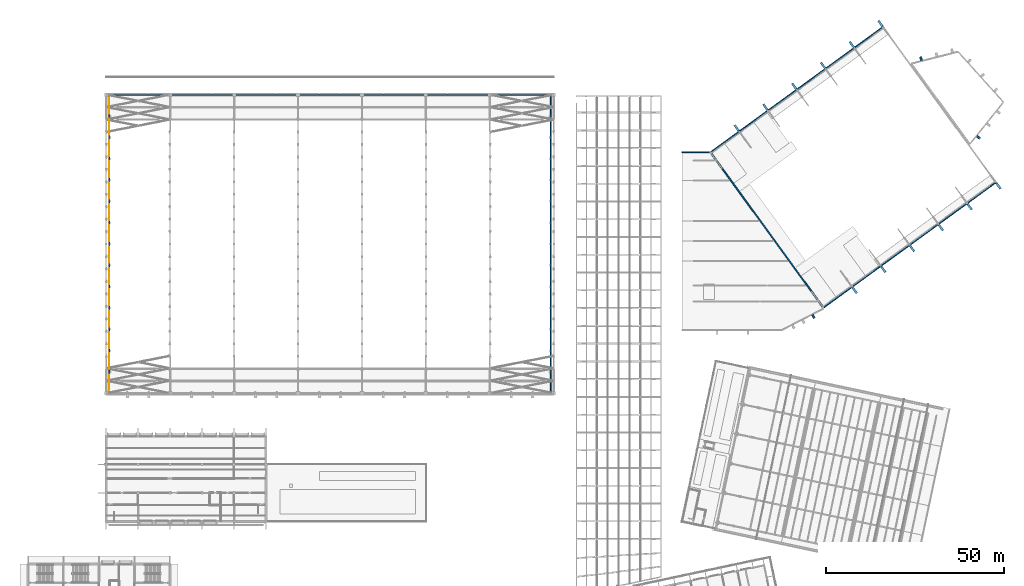
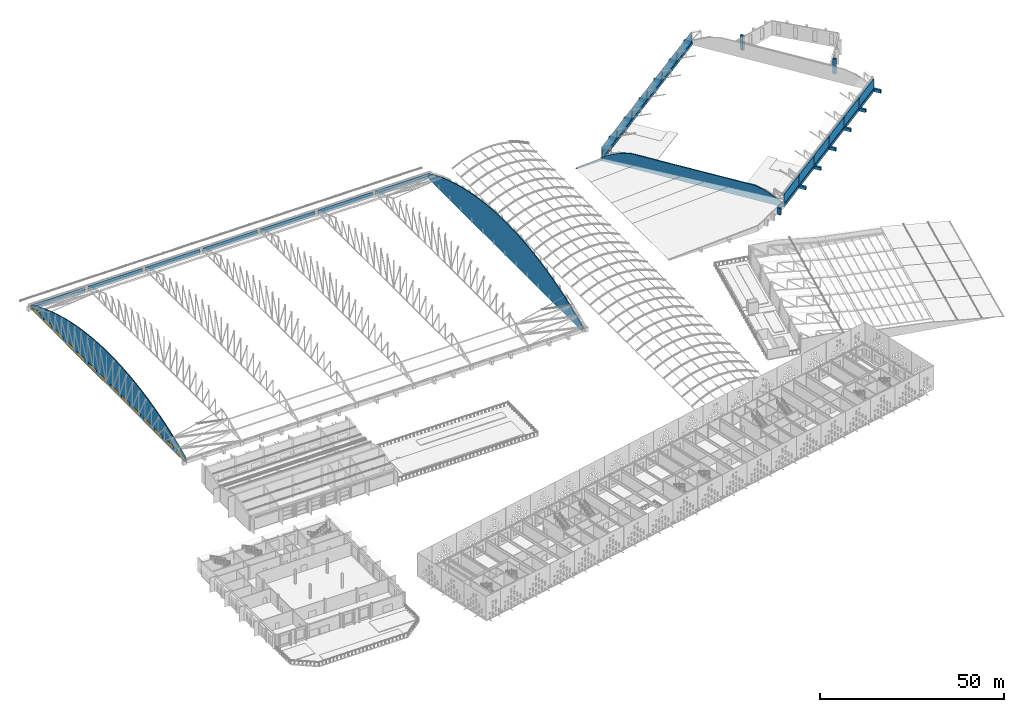
# One storey, part 129 of 196: 40 walls, 14 windows, 14 openings.
"""IFC4 building model written with IfcOpenShell, lengths in metres."""

from ifc_helpers import new_model, si_unit, direction, frame, frame_2d, origin, place, context, subcontext, project, spatial, polyline, rectangle, outline, extrude, material, layer, layer_set, type_object, element, fill, save


model = new_model("IFC4")

# Units and contexts
model_context = context("Model", 3, precision=1e-05, world=origin(), true_north=direction((0.0, 1.0)))
body_context = subcontext(model_context, "Body", "Model", "MODEL_VIEW")
ifc_project = project(units=[si_unit("LENGTHUNIT", "METRE"), si_unit("AREAUNIT", "SQUARE_METRE"), si_unit("VOLUMEUNIT", "CUBIC_METRE"), si_unit("PLANEANGLEUNIT", "RADIAN"), si_unit("MASSUNIT", "GRAM", prefix="KILO")], contexts=[model_context])

# Site, building, storey
site_placement = place(None, origin())
site = spatial("IfcSite", under=ifc_project, at=site_placement, CompositionType="ELEMENT")
building_placement = place(site_placement, origin())
building = spatial("IfcBuilding", under=site, at=building_placement, Name="Okhra Congress Centre", CompositionType="ELEMENT")
storey_placement = place(building_placement, frame((0.0, 0.0, 12.0)))
storey = spatial("IfcBuildingStorey", under=building, at=storey_placement, Name="L02", CompositionType="ELEMENT", Elevation=12.0)

# Walls
ifc_material_1 = material(Name="Concrete C35/45", Category="concrete")
ifc_layer_1 = layer(ifc_material_1, 0.60009765625)
ifc_layer_set_1 = layer_set([ifc_layer_1], Name="Buttress fin 600 R 120 C35/45")
wall_type_1 = type_object("IfcWallType", Name="Buttress fin 600 R 120 C35/45", PredefinedType="SOLIDWALL", material=ifc_layer_set_1)
for number, where, z_axis, x_axis, name in (
    (1, (238.047607421875, 161.784423828125, 0.0), (0.0, 0.0, 1.0), (0.587801445368, -0.80900522917, 0.0), "Buttress fin S -20 L02"),
    (2, (246.1376953125, 167.662353515625, 0.0), (0.0, 0.0, 1.0), (0.587743397701, -0.809047401861, 0.0), "Buttress fin S -10 L02"),
    (3, (254.22802734375, 173.540283203125, 0.0), (0.0, 0.0, 1.0), (0.587743397701, -0.809047401861, 0.0), "Buttress fin S 0 L02"),
    (4, (262.318115234375, 179.41796875, 0.0), (0.0, 0.0, 1.0), (0.587801445368, -0.80900522917, 0.0), "Buttress fin S 10 L02"),
    (5, (270.408203125, 185.2958984375, 0.0), (0.0, 0.0, 1.0), (0.587801445368, -0.80900522917, 0.0), "Buttress fin S 20 L02"),
    (6, (278.49853515625, 191.173828125, 0.0), (0.0, 0.0, 1.0), (0.587743397701, -0.809047401861, 0.0), "Buttress fin S 30 L02"),
    (7, (206.013427734375, 205.8759765625, 0.0), (0.0, 0.0, 1.0), (-0.587881334972, 0.808947177504, 0.0), "Buttress fin N -20 L02"),
    (8, (214.103515625, 211.753662109375, 0.0), (0.0, 0.0, 1.0), (-0.587743397701, 0.809047401861, 0.0), "Buttress fin N -10 L02"),
    (9, (222.193603515625, 217.631591796875, 0.0), (0.0, 0.0, 1.0), (-0.587743397701, 0.809047401861, 0.0), "Buttress fin N 0 L02"),
    (10, (230.283935546875, 223.509521484375, 0.0), (0.0, 0.0, 1.0), (-0.587881334972, 0.808947177504, 0.0), "Buttress fin N 10 L02"),
    (11, (238.3740234375, 229.38720703125, 0.0), (0.0, 0.0, 1.0), (-0.587743397701, 0.809047401861, 0.0), "Buttress fin N 20 L02"),
    (12, (246.464111328125, 235.26513671875, 0.0), (0.0, 0.0, 1.0), (-0.587743397701, 0.809047401861, 0.0), "Buttress fin N 30 L02"),
):
    element("IfcWall", number, at=place(storey_placement, frame(where, z_axis=z_axis, x_axis=x_axis)), inside=storey, type_object=wall_type_1, Name=name, PredefinedType="SOLIDWALL", context=body_context, shape_type="SweptSolid", body=[
        extrude(rectangle(XDim=2.0, YDim=0.60009765625, at=frame_2d((1.0, 0.0))), origin(), (0.0, 0.0, 1.0), 1.0),
    ])
ifc_layer_2 = layer(ifc_material_1, 0.60009765625)
ifc_layer_set_2 = layer_set([ifc_layer_2], Name="Foyer wall fin 600 R 120 C35/45")
wall_type_2 = type_object("IfcWallType", Name="Foyer wall fin 600 R 120 C35/45", PredefinedType="SOLIDWALL", material=ifc_layer_set_2)
wall_1_placement = place(storey_placement, frame((226.7880859375, 154.075439453125, 0.0), z_axis=(0.0, 0.0, 1.0), x_axis=(0.456856907231, -0.889540199381, 0.0)))
element("IfcWall", 13, at=wall_1_placement, inside=storey, type_object=wall_type_2, Name="Prow wall fin 5 L02", PredefinedType="SOLIDWALL", context=body_context, shape_type="SweptSolid", body=[
    extrude(rectangle(XDim=0.999755859375, YDim=0.60009765625, at=frame_2d((0.5, 0.0))), origin(), (0.0, 0.0, 1.0), 2.23095703125),
])

# Wall, openings, windows
ifc_material_2 = material(Name="Insulated metal sandwich panel (mineral wool core)")
ifc_layer_3 = layer(ifc_material_2, 0.25)
ifc_layer_set_3 = layer_set([ifc_layer_3], Name="Insulated wall panel 250")
wall_type_3 = type_object("IfcWallType", Name="Insulated wall panel 250", PredefinedType="SOLIDWALL", material=ifc_layer_set_3)
wall_2_placement = place(storey_placement, frame((28.85009765625, 132.14990234375, 0.0), z_axis=(0.0, 0.0, 1.0), x_axis=(0.0, 1.0, 0.0)))
wall_2 = element("IfcWall", 14, at=wall_2_placement, inside=storey, type_object=wall_type_3, Name="EH.WALL.L02.29", PredefinedType="SOLIDWALL", context=body_context, shape_type="SweptSolid", body=[
    extrude(outline(polyline([(0.0, 0.0), (83.7001953125, 0.0), (83.699951171875, 1.68115234375), (80.35009765625, 3.17626953125), (76.85009765625, 4.57958984375), (73.35009765625, 5.831298828125), (69.85009765625, 6.93701171875), (66.35009765625, 7.90234375), (62.85009765625, 8.73095703125), (59.35009765625, 9.4267578125), (55.85009765625, 9.9921875), (52.35009765625, 10.429931640625), (48.85009765625, 10.7412109375), (45.35009765625, 10.927734375), (41.85009765625, 10.989990234375), (38.35009765625, 10.927734375), (34.85009765625, 10.7412109375), (31.35009765625, 10.429931640625), (27.85009765625, 9.9921875), (24.35009765625, 9.4267578125), (20.85009765625, 8.73095703125), (17.35009765625, 7.90234375), (13.85009765625, 6.93701171875), (10.35009765625, 5.831298828125), (6.85009765625, 4.57958984375), (3.35009765625, 3.17626953125), (0.0, 1.68115234375), (0.0, 0.0)])), frame((0.0, 0.125, 0.0), z_axis=(0.0, -1.0, 0.0), x_axis=(1.0, 0.0, 0.0)), (0.0, 0.0, 1.0), 0.25),
])
opening_1_placement = place(wall_2_placement, frame((0.60009765625, 0.0, 0.39990234375)))
opening_1 = element("IfcOpeningElement", 15, at=opening_1_placement, cuts=wall_2, Name="Opening WN6", PredefinedType="OPENING", context=body_context, shape_type="SweptSolid", body=[
    extrude(rectangle(XDim=4.5, YDim=0.949951171875, at=frame_2d((2.25, 0.47509765625))), frame((0.0, 0.135009765625, 0.0), z_axis=(0.0, -1.0, 0.0), x_axis=(1.0, 0.0, 0.0)), (0.0, 0.0, 1.0), 0.27001953125),
])
opening_2_placement = place(wall_2_placement, frame((6.60009765625, 0.0, 0.39990234375)))
opening_2 = element("IfcOpeningElement", 16, at=opening_2_placement, cuts=wall_2, Name="Opening WN6", PredefinedType="OPENING", context=body_context, shape_type="SweptSolid", body=[
    extrude(rectangle(XDim=4.5, YDim=0.949951171875, at=frame_2d((2.25, 0.47509765625))), frame((0.0, 0.135009765625, 0.0), z_axis=(0.0, -1.0, 0.0), x_axis=(1.0, 0.0, 0.0)), (0.0, 0.0, 1.0), 0.27001953125),
])
opening_3_placement = place(wall_2_placement, frame((12.60009765625, 0.0, 0.39990234375)))
opening_3 = element("IfcOpeningElement", 17, at=opening_3_placement, cuts=wall_2, Name="Opening WN6", PredefinedType="OPENING", context=body_context, shape_type="SweptSolid", body=[
    extrude(rectangle(XDim=4.5, YDim=0.949951171875, at=frame_2d((2.25, 0.47509765625))), frame((0.0, 0.135009765625, 0.0), z_axis=(0.0, -1.0, 0.0), x_axis=(1.0, 0.0, 0.0)), (0.0, 0.0, 1.0), 0.27001953125),
])
opening_4_placement = place(wall_2_placement, frame((18.60009765625, 0.0, 0.39990234375)))
opening_4 = element("IfcOpeningElement", 18, at=opening_4_placement, cuts=wall_2, Name="Opening WN6", PredefinedType="OPENING", context=body_context, shape_type="SweptSolid", body=[
    extrude(rectangle(XDim=4.5, YDim=0.949951171875, at=frame_2d((2.25, 0.47509765625))), frame((0.0, 0.135009765625, 0.0), z_axis=(0.0, -1.0, 0.0), x_axis=(1.0, 0.0, 0.0)), (0.0, 0.0, 1.0), 0.27001953125),
])
opening_5_placement = place(wall_2_placement, frame((24.60009765625, 0.0, 0.39990234375)))
opening_5 = element("IfcOpeningElement", 19, at=opening_5_placement, cuts=wall_2, Name="Opening WN6", PredefinedType="OPENING", context=body_context, shape_type="SweptSolid", body=[
    extrude(rectangle(XDim=4.5, YDim=0.949951171875, at=frame_2d((2.25, 0.47509765625))), frame((0.0, 0.135009765625, 0.0), z_axis=(0.0, -1.0, 0.0), x_axis=(1.0, 0.0, 0.0)), (0.0, 0.0, 1.0), 0.27001953125),
])
opening_6_placement = place(wall_2_placement, frame((30.60009765625, 0.0, 0.39990234375)))
opening_6 = element("IfcOpeningElement", 20, at=opening_6_placement, cuts=wall_2, Name="Opening WN6", PredefinedType="OPENING", context=body_context, shape_type="SweptSolid", body=[
    extrude(rectangle(XDim=4.5, YDim=0.949951171875, at=frame_2d((2.25, 0.47509765625))), frame((0.0, 0.135009765625, 0.0), z_axis=(0.0, -1.0, 0.0), x_axis=(1.0, 0.0, 0.0)), (0.0, 0.0, 1.0), 0.27001953125),
])
opening_7_placement = place(wall_2_placement, frame((36.60009765625, 0.0, 0.39990234375)))
opening_7 = element("IfcOpeningElement", 21, at=opening_7_placement, cuts=wall_2, Name="Opening WN6", PredefinedType="OPENING", context=body_context, shape_type="SweptSolid", body=[
    extrude(rectangle(XDim=4.5, YDim=0.949951171875, at=frame_2d((2.25, 0.47509765625))), frame((0.0, 0.135009765625, 0.0), z_axis=(0.0, -1.0, 0.0), x_axis=(1.0, 0.0, 0.0)), (0.0, 0.0, 1.0), 0.27001953125),
])
opening_8_placement = place(wall_2_placement, frame((42.60009765625, 0.0, 0.39990234375)))
opening_8 = element("IfcOpeningElement", 22, at=opening_8_placement, cuts=wall_2, Name="Opening WN6", PredefinedType="OPENING", context=body_context, shape_type="SweptSolid", body=[
    extrude(rectangle(XDim=4.5, YDim=0.949951171875, at=frame_2d((2.25, 0.47509765625))), frame((0.0, 0.135009765625, 0.0), z_axis=(0.0, -1.0, 0.0), x_axis=(1.0, 0.0, 0.0)), (0.0, 0.0, 1.0), 0.27001953125),
])
opening_9_placement = place(wall_2_placement, frame((48.60009765625, 0.0, 0.39990234375)))
opening_9 = element("IfcOpeningElement", 23, at=opening_9_placement, cuts=wall_2, Name="Opening WN6", PredefinedType="OPENING", context=body_context, shape_type="SweptSolid", body=[
    extrude(rectangle(XDim=4.5, YDim=0.949951171875, at=frame_2d((2.25, 0.47509765625))), frame((0.0, 0.135009765625, 0.0), z_axis=(0.0, -1.0, 0.0), x_axis=(1.0, 0.0, 0.0)), (0.0, 0.0, 1.0), 0.27001953125),
])
opening_10_placement = place(wall_2_placement, frame((54.60009765625, 0.0, 0.39990234375)))
opening_10 = element("IfcOpeningElement", 24, at=opening_10_placement, cuts=wall_2, Name="Opening WN6", PredefinedType="OPENING", context=body_context, shape_type="SweptSolid", body=[
    extrude(rectangle(XDim=4.5, YDim=0.949951171875, at=frame_2d((2.25, 0.47509765625))), frame((0.0, 0.135009765625, 0.0), z_axis=(0.0, -1.0, 0.0), x_axis=(1.0, 0.0, 0.0)), (0.0, 0.0, 1.0), 0.27001953125),
])
opening_11_placement = place(wall_2_placement, frame((60.60009765625, 0.0, 0.39990234375)))
opening_11 = element("IfcOpeningElement", 25, at=opening_11_placement, cuts=wall_2, Name="Opening WN6", PredefinedType="OPENING", context=body_context, shape_type="SweptSolid", body=[
    extrude(rectangle(XDim=4.5, YDim=0.949951171875, at=frame_2d((2.25, 0.47509765625))), frame((0.0, 0.135009765625, 0.0), z_axis=(0.0, -1.0, 0.0), x_axis=(1.0, 0.0, 0.0)), (0.0, 0.0, 1.0), 0.27001953125),
])
opening_12_placement = place(wall_2_placement, frame((66.60009765625, 0.0, 0.39990234375)))
opening_12 = element("IfcOpeningElement", 26, at=opening_12_placement, cuts=wall_2, Name="Opening WN6", PredefinedType="OPENING", context=body_context, shape_type="SweptSolid", body=[
    extrude(rectangle(XDim=4.5, YDim=0.949951171875, at=frame_2d((2.25, 0.47509765625))), frame((0.0, 0.135009765625, 0.0), z_axis=(0.0, -1.0, 0.0), x_axis=(1.0, 0.0, 0.0)), (0.0, 0.0, 1.0), 0.27001953125),
])
opening_13_placement = place(wall_2_placement, frame((72.60009765625, 0.0, 0.39990234375)))
opening_13 = element("IfcOpeningElement", 27, at=opening_13_placement, cuts=wall_2, Name="Opening WN6", PredefinedType="OPENING", context=body_context, shape_type="SweptSolid", body=[
    extrude(rectangle(XDim=4.5, YDim=0.949951171875, at=frame_2d((2.25, 0.47509765625))), frame((0.0, 0.135009765625, 0.0), z_axis=(0.0, -1.0, 0.0), x_axis=(1.0, 0.0, 0.0)), (0.0, 0.0, 1.0), 0.27001953125),
])
opening_14_placement = place(wall_2_placement, frame((78.60009765625, 0.0, 0.39990234375)))
opening_14 = element("IfcOpeningElement", 28, at=opening_14_placement, cuts=wall_2, Name="Opening WN6", PredefinedType="OPENING", context=body_context, shape_type="SweptSolid", body=[
    extrude(rectangle(XDim=4.5, YDim=0.949951171875, at=frame_2d((2.25, 0.47509765625))), frame((0.0, 0.135009765625, 0.0), z_axis=(0.0, -1.0, 0.0), x_axis=(1.0, 0.0, 0.0)), (0.0, 0.0, 1.0), 0.27001953125),
])
ifc_material_3 = material(Name="Thermally broken aluminium frame, triple glazing", Category="aluminium")
window_type = type_object("IfcWindowType", Name="Fixed window 4500x950", PartitioningType="SINGLE_PANEL", PredefinedType="WINDOW", material=ifc_material_3)
window_1_placement = place(opening_1_placement, origin())
window_1 = element("IfcWindow", 29, at=window_1_placement, inside=storey, type_object=window_type, Name="EH.WIN.L02.1", OverallHeight=0.949951171875, OverallWidth=4.5, PartitioningType="SINGLE_PANEL", PredefinedType="WINDOW", context=body_context, shape_type="SweptSolid", body=[
    extrude(rectangle(XDim=4.5, YDim=0.949951171875, at=frame_2d((2.25, 0.47509765625))), frame((0.0, 0.030029296875, 0.0), z_axis=(0.0, -1.0, 0.0), x_axis=(1.0, 0.0, 0.0)), (0.0, 0.0, 1.0), 0.06005859375),
])
fill(opening_1, window_1)
window_2_placement = place(opening_2_placement, origin())
window_2 = element("IfcWindow", 30, at=window_2_placement, inside=storey, type_object=window_type, Name="EH.WIN.L02.2", OverallHeight=0.949951171875, OverallWidth=4.5, PartitioningType="SINGLE_PANEL", PredefinedType="WINDOW", context=body_context, shape_type="SweptSolid", body=[
    extrude(rectangle(XDim=4.5, YDim=0.949951171875, at=frame_2d((2.25, 0.47509765625))), frame((0.0, 0.030029296875, 0.0), z_axis=(0.0, -1.0, 0.0), x_axis=(1.0, 0.0, 0.0)), (0.0, 0.0, 1.0), 0.06005859375),
])
fill(opening_2, window_2)
window_3_placement = place(opening_3_placement, origin())
window_3 = element("IfcWindow", 31, at=window_3_placement, inside=storey, type_object=window_type, Name="EH.WIN.L02.3", OverallHeight=0.949951171875, OverallWidth=4.5, PartitioningType="SINGLE_PANEL", PredefinedType="WINDOW", context=body_context, shape_type="SweptSolid", body=[
    extrude(rectangle(XDim=4.5, YDim=0.949951171875, at=frame_2d((2.25, 0.47509765625))), frame((0.0, 0.030029296875, 0.0), z_axis=(0.0, -1.0, 0.0), x_axis=(1.0, 0.0, 0.0)), (0.0, 0.0, 1.0), 0.06005859375),
])
fill(opening_3, window_3)
window_4_placement = place(opening_4_placement, origin())
window_4 = element("IfcWindow", 32, at=window_4_placement, inside=storey, type_object=window_type, Name="EH.WIN.L02.4", OverallHeight=0.949951171875, OverallWidth=4.5, PartitioningType="SINGLE_PANEL", PredefinedType="WINDOW", context=body_context, shape_type="SweptSolid", body=[
    extrude(rectangle(XDim=4.5, YDim=0.949951171875, at=frame_2d((2.25, 0.47509765625))), frame((0.0, 0.030029296875, 0.0), z_axis=(0.0, -1.0, 0.0), x_axis=(1.0, 0.0, 0.0)), (0.0, 0.0, 1.0), 0.06005859375),
])
fill(opening_4, window_4)
window_5_placement = place(opening_5_placement, origin())
window_5 = element("IfcWindow", 33, at=window_5_placement, inside=storey, type_object=window_type, Name="EH.WIN.L02.5", OverallHeight=0.949951171875, OverallWidth=4.5, PartitioningType="SINGLE_PANEL", PredefinedType="WINDOW", context=body_context, shape_type="SweptSolid", body=[
    extrude(rectangle(XDim=4.5, YDim=0.949951171875, at=frame_2d((2.25, 0.47509765625))), frame((0.0, 0.030029296875, 0.0), z_axis=(0.0, -1.0, 0.0), x_axis=(1.0, 0.0, 0.0)), (0.0, 0.0, 1.0), 0.06005859375),
])
fill(opening_5, window_5)
window_6_placement = place(opening_6_placement, origin())
window_6 = element("IfcWindow", 34, at=window_6_placement, inside=storey, type_object=window_type, Name="EH.WIN.L02.6", OverallHeight=0.949951171875, OverallWidth=4.5, PartitioningType="SINGLE_PANEL", PredefinedType="WINDOW", context=body_context, shape_type="SweptSolid", body=[
    extrude(rectangle(XDim=4.5, YDim=0.949951171875, at=frame_2d((2.25, 0.47509765625))), frame((0.0, 0.030029296875, 0.0), z_axis=(0.0, -1.0, 0.0), x_axis=(1.0, 0.0, 0.0)), (0.0, 0.0, 1.0), 0.06005859375),
])
fill(opening_6, window_6)
window_7_placement = place(opening_7_placement, origin())
window_7 = element("IfcWindow", 35, at=window_7_placement, inside=storey, type_object=window_type, Name="EH.WIN.L02.7", OverallHeight=0.949951171875, OverallWidth=4.5, PartitioningType="SINGLE_PANEL", PredefinedType="WINDOW", context=body_context, shape_type="SweptSolid", body=[
    extrude(rectangle(XDim=4.5, YDim=0.949951171875, at=frame_2d((2.25, 0.47509765625))), frame((0.0, 0.030029296875, 0.0), z_axis=(0.0, -1.0, 0.0), x_axis=(1.0, 0.0, 0.0)), (0.0, 0.0, 1.0), 0.06005859375),
])
fill(opening_7, window_7)
window_8_placement = place(opening_8_placement, origin())
window_8 = element("IfcWindow", 36, at=window_8_placement, inside=storey, type_object=window_type, Name="EH.WIN.L02.8", OverallHeight=0.949951171875, OverallWidth=4.5, PartitioningType="SINGLE_PANEL", PredefinedType="WINDOW", context=body_context, shape_type="SweptSolid", body=[
    extrude(rectangle(XDim=4.5, YDim=0.949951171875, at=frame_2d((2.25, 0.47509765625))), frame((0.0, 0.030029296875, 0.0), z_axis=(0.0, -1.0, 0.0), x_axis=(1.0, 0.0, 0.0)), (0.0, 0.0, 1.0), 0.06005859375),
])
fill(opening_8, window_8)
window_9_placement = place(opening_9_placement, origin())
window_9 = element("IfcWindow", 37, at=window_9_placement, inside=storey, type_object=window_type, Name="EH.WIN.L02.9", OverallHeight=0.949951171875, OverallWidth=4.5, PartitioningType="SINGLE_PANEL", PredefinedType="WINDOW", context=body_context, shape_type="SweptSolid", body=[
    extrude(rectangle(XDim=4.5, YDim=0.949951171875, at=frame_2d((2.25, 0.47509765625))), frame((0.0, 0.030029296875, 0.0), z_axis=(0.0, -1.0, 0.0), x_axis=(1.0, 0.0, 0.0)), (0.0, 0.0, 1.0), 0.06005859375),
])
fill(opening_9, window_9)
window_10_placement = place(opening_10_placement, origin())
window_10 = element("IfcWindow", 38, at=window_10_placement, inside=storey, type_object=window_type, Name="EH.WIN.L02.10", OverallHeight=0.949951171875, OverallWidth=4.5, PartitioningType="SINGLE_PANEL", PredefinedType="WINDOW", context=body_context, shape_type="SweptSolid", body=[
    extrude(rectangle(XDim=4.5, YDim=0.949951171875, at=frame_2d((2.25, 0.47509765625))), frame((0.0, 0.030029296875, 0.0), z_axis=(0.0, -1.0, 0.0), x_axis=(1.0, 0.0, 0.0)), (0.0, 0.0, 1.0), 0.06005859375),
])
fill(opening_10, window_10)
window_11_placement = place(opening_11_placement, origin())
window_11 = element("IfcWindow", 39, at=window_11_placement, inside=storey, type_object=window_type, Name="EH.WIN.L02.11", OverallHeight=0.949951171875, OverallWidth=4.5, PartitioningType="SINGLE_PANEL", PredefinedType="WINDOW", context=body_context, shape_type="SweptSolid", body=[
    extrude(rectangle(XDim=4.5, YDim=0.949951171875, at=frame_2d((2.25, 0.47509765625))), frame((0.0, 0.030029296875, 0.0), z_axis=(0.0, -1.0, 0.0), x_axis=(1.0, 0.0, 0.0)), (0.0, 0.0, 1.0), 0.06005859375),
])
fill(opening_11, window_11)
window_12_placement = place(opening_12_placement, origin())
window_12 = element("IfcWindow", 40, at=window_12_placement, inside=storey, type_object=window_type, Name="EH.WIN.L02.12", OverallHeight=0.949951171875, OverallWidth=4.5, PartitioningType="SINGLE_PANEL", PredefinedType="WINDOW", context=body_context, shape_type="SweptSolid", body=[
    extrude(rectangle(XDim=4.5, YDim=0.949951171875, at=frame_2d((2.25, 0.47509765625))), frame((0.0, 0.030029296875, 0.0), z_axis=(0.0, -1.0, 0.0), x_axis=(1.0, 0.0, 0.0)), (0.0, 0.0, 1.0), 0.06005859375),
])
fill(opening_12, window_12)
window_13_placement = place(opening_13_placement, origin())
window_13 = element("IfcWindow", 41, at=window_13_placement, inside=storey, type_object=window_type, Name="EH.WIN.L02.13", OverallHeight=0.949951171875, OverallWidth=4.5, PartitioningType="SINGLE_PANEL", PredefinedType="WINDOW", context=body_context, shape_type="SweptSolid", body=[
    extrude(rectangle(XDim=4.5, YDim=0.949951171875, at=frame_2d((2.25, 0.47509765625))), frame((0.0, 0.030029296875, 0.0), z_axis=(0.0, -1.0, 0.0), x_axis=(1.0, 0.0, 0.0)), (0.0, 0.0, 1.0), 0.06005859375),
])
fill(opening_13, window_13)
window_14_placement = place(opening_14_placement, origin())
window_14 = element("IfcWindow", 42, at=window_14_placement, inside=storey, type_object=window_type, Name="EH.WIN.L02.14", OverallHeight=0.949951171875, OverallWidth=4.5, PartitioningType="SINGLE_PANEL", PredefinedType="WINDOW", context=body_context, shape_type="SweptSolid", body=[
    extrude(rectangle(XDim=4.5, YDim=0.949951171875, at=frame_2d((2.25, 0.47509765625))), frame((0.0, 0.030029296875, 0.0), z_axis=(0.0, -1.0, 0.0), x_axis=(1.0, 0.0, 0.0)), (0.0, 0.0, 1.0), 0.06005859375),
])
fill(opening_14, window_14)

# Walls
ifc_layer_4 = layer(ifc_material_2, 0.300048828125)
ifc_layer_set_4 = layer_set([ifc_layer_4], Name="Insulated wall panel 300")
wall_type_4 = type_object("IfcWallType", Name="Insulated wall panel 300", PredefinedType="SOLIDWALL", material=ifc_layer_set_4)
for number, where, z_axis, x_axis, name in (
    (43, (229.931884765625, 156.197021484375, 1.0), (0.0, 0.0, 1.0), (0.809008095372, 0.587797500524, 0.0), "Eaves wall S 1"),
    (44, (238.02197265625, 162.074951171875, 1.0), (0.0, 0.0, 1.0), (0.809020064084, 0.587781027177, 0.0), "Eaves wall S 2"),
    (45, (246.1123046875, 167.95263671875, 1.0), (0.0, 0.0, 1.0), (0.809008095372, 0.587797500524, 0.0), "Eaves wall S 3"),
    (46, (254.202392578125, 173.83056640625, 1.0), (0.0, 0.0, 1.0), (0.809008095372, 0.587797500524, 0.0), "Eaves wall S 4"),
    (47, (262.29248046875, 179.70849609375, 1.0), (0.0, 0.0, 1.0), (0.809020064084, 0.587781027177, 0.0), "Eaves wall S 5"),
    (48, (270.3828125, 185.58642578125, 1.0), (0.0, 0.0, 1.0), (0.809020064084, 0.587781027177, 0.0), "Eaves wall S 6"),
    (49, (198.19140625, 199.884033203125, 1.0), (0.0, 0.0, 1.0), (0.809020064084, 0.587781027177, 0.0), "Eaves wall N 1"),
):
    element("IfcWall", number, at=place(storey_placement, frame(where, z_axis=z_axis, x_axis=x_axis)), inside=storey, type_object=wall_type_4, Name=name, PredefinedType="SOLIDWALL", context=body_context, shape_type="SweptSolid", body=[
        extrude(rectangle(XDim=9.699951171875, YDim=0.300048828125, at=frame_2d((4.85009765625, 0.0))), origin(), (0.0, 0.0, 1.0), 3.180419921875),
    ])
wall_3_placement = place(storey_placement, frame((206.281494140625, 205.76171875, 1.0), z_axis=(0.0, 0.0, 1.0), x_axis=(0.809016791155, 0.587785532001, 0.0)))
element("IfcWall", 50, at=wall_3_placement, inside=storey, type_object=wall_type_4, Name="Eaves wall N 2", PredefinedType="SOLIDWALL", context=body_context, shape_type="SweptSolid", body=[
    extrude(rectangle(XDim=9.7001953125, YDim=0.300048828125, at=frame_2d((4.85009765625, 0.0))), origin(), (0.0, 0.0, 1.0), 3.180419921875),
])
for number, where, z_axis, x_axis, name in (
    (51, (214.371826171875, 211.6396484375, 1.0), (0.0, 0.0, 1.0), (0.809008095372, 0.587797500524, 0.0), "Eaves wall N 3"),
    (52, (222.4619140625, 217.517578125, 1.0), (0.0, 0.0, 1.0), (0.809020064084, 0.587781027177, 0.0), "Eaves wall N 4"),
):
    element("IfcWall", number, at=place(storey_placement, frame(where, z_axis=z_axis, x_axis=x_axis)), inside=storey, type_object=wall_type_4, Name=name, PredefinedType="SOLIDWALL", context=body_context, shape_type="SweptSolid", body=[
        extrude(rectangle(XDim=9.699951171875, YDim=0.300048828125, at=frame_2d((4.85009765625, 0.0))), origin(), (0.0, 0.0, 1.0), 3.180419921875),
    ])
wall_4_placement = place(storey_placement, frame((230.552001953125, 223.395263671875, 1.0), z_axis=(0.0, 0.0, 1.0), x_axis=(0.809016791155, 0.587785532001, 0.0)))
element("IfcWall", 53, at=wall_4_placement, inside=storey, type_object=wall_type_4, Name="Eaves wall N 5", PredefinedType="SOLIDWALL", context=body_context, shape_type="SweptSolid", body=[
    extrude(rectangle(XDim=9.7001953125, YDim=0.300048828125, at=frame_2d((4.85009765625, 0.0))), origin(), (0.0, 0.0, 1.0), 3.180419921875),
])
wall_5_placement = place(storey_placement, frame((238.642333984375, 229.273193359375, 1.0), z_axis=(0.0, 0.0, 1.0), x_axis=(0.809008095372, 0.587797500524, 0.0)))
element("IfcWall", 54, at=wall_5_placement, inside=storey, type_object=wall_type_4, Name="Eaves wall N 6", PredefinedType="SOLIDWALL", context=body_context, shape_type="SweptSolid", body=[
    extrude(rectangle(XDim=9.699951171875, YDim=0.300048828125, at=frame_2d((4.85009765625, 0.0))), origin(), (0.0, 0.0, 1.0), 3.180419921875),
])
wall_6_placement = place(storey_placement, frame((190.0, 199.7900390625, 0.0), z_axis=(0.0, 0.0, 1.0), x_axis=(1.0, 0.0, 0.0)))
element("IfcWall", 55, at=wall_6_placement, inside=storey, type_object=wall_type_4, Name="Foyer north gable wall", PredefinedType="SOLIDWALL", context=body_context, shape_type="SweptSolid", body=[
    extrude(outline(polyline([(0.0, 0.0), (7.8271484375, 0.0), (7.8271484375, 0.708251953125), (0.0, 0.298095703125), (0.0, 0.0)])), frame((0.0, 0.14990234375, 0.0), z_axis=(0.0, -1.0, 0.0), x_axis=(1.0, 0.0, 0.0)), (0.0, 0.0, 1.0), 0.300048828125),
])
ifc_material_4 = material(Name="Concrete C30/37", Category="concrete")
ifc_layer_5 = layer(ifc_material_4, 0.300048828125)
ifc_layer_set_5 = layer_set([ifc_layer_5], Name="RC fire wall 300 REI 150 C30/37")
wall_type_5 = type_object("IfcWallType", Name="RC fire wall 300 REI 150 C30/37", PredefinedType="SOLIDWALL", material=ifc_layer_set_5)
for number, where, z_axis, x_axis, name in (
    (56, (28.5, 216.0, 0.0), (0.0, 0.0, 1.0), (1.0, 0.0, 0.0), "EH.WALL.L02.22"),
    (57, (46.5, 216.0, 0.0), (0.0, 0.0, 1.0), (1.0, 0.0, 0.0), "EH.WALL.L02.23"),
    (58, (64.5, 216.0, 0.0), (0.0, 0.0, 1.0), (1.0, 0.0, 0.0), "EH.WALL.L02.24"),
    (59, (82.5, 216.0, 0.0), (0.0, 0.0, 1.0), (1.0, 0.0, 0.0), "EH.WALL.L02.25"),
    (60, (100.5, 216.0, 0.0), (0.0, 0.0, 1.0), (1.0, 0.0, 0.0), "EH.WALL.L02.26"),
    (61, (118.5, 216.0, 0.0), (0.0, 0.0, 1.0), (1.0, 0.0, 0.0), "EH.WALL.L02.27"),
    (62, (136.5, 216.0, 0.0), (0.0, 0.0, 1.0), (1.0, 0.0, 0.0), "EH.WALL.L02.28"),
):
    element("IfcWall", number, at=place(storey_placement, frame(where, z_axis=z_axis, x_axis=x_axis)), inside=storey, type_object=wall_type_5, Name=name, PredefinedType="SOLIDWALL", context=body_context, shape_type="SweptSolid", body=[
        extrude(rectangle(XDim=17.0, YDim=0.300048828125, at=frame_2d((8.5, 0.0))), origin(), (0.0, 0.0, 1.0), 1.576904296875),
    ])
wall_7_placement = place(storey_placement, frame((153.14990234375, 132.14990234375, 0.0), z_axis=(0.0, 0.0, 1.0), x_axis=(0.0, 1.0, 0.0)))
element("IfcWall", 63, at=wall_7_placement, inside=storey, type_object=wall_type_5, Name="EH.WALL.L02.30", PredefinedType="SOLIDWALL", context=body_context, shape_type="SweptSolid", body=[
    extrude(outline(polyline([(0.0, 0.0), (83.7001953125, 0.0), (83.699951171875, 1.68115234375), (80.35009765625, 3.17626953125), (76.85009765625, 4.57958984375), (73.35009765625, 5.831298828125), (69.85009765625, 6.93701171875), (66.35009765625, 7.90234375), (62.85009765625, 8.73095703125), (59.35009765625, 9.4267578125), (55.85009765625, 9.9921875), (52.35009765625, 10.429931640625), (48.85009765625, 10.7412109375), (45.35009765625, 10.927734375), (41.85009765625, 10.989990234375), (38.35009765625, 10.927734375), (34.85009765625, 10.7412109375), (31.35009765625, 10.429931640625), (27.85009765625, 9.9921875), (24.35009765625, 9.4267578125), (20.85009765625, 8.73095703125), (17.35009765625, 7.90234375), (13.85009765625, 6.93701171875), (10.35009765625, 5.831298828125), (6.85009765625, 4.57958984375), (3.35009765625, 3.17626953125), (0.0, 1.68115234375), (0.0, 0.0)])), frame((0.0, 0.14990234375, 0.0), z_axis=(0.0, -1.0, 0.0), x_axis=(1.0, 0.0, 0.0)), (0.0, 0.0, 1.0), 0.300048828125),
])
ifc_layer_6 = layer(ifc_material_4, 0.35009765625)
ifc_layer_set_6 = layer_set([ifc_layer_6], Name="RC wall 350 REI 120 C30/37")
wall_type_6 = type_object("IfcWallType", Name="RC wall 350 REI 120 C30/37", PredefinedType="SOLIDWALL", material=ifc_layer_set_6)
wall_8_placement = place(storey_placement, frame((229.722412109375, 156.230224609375, 0.0), z_axis=(0.0, 0.0, 1.0), x_axis=(-0.58778587785, 0.809016539881, 0.0)))
element("IfcWall", 64, at=wall_8_placement, inside=storey, type_object=wall_type_6, Name="End wall W L02", PredefinedType="SOLIDWALL", context=body_context, shape_type="SweptSolid", body=[
    extrude(outline(polyline([(0.0, 0.0), (53.7001953125, 0.0), (53.699951171875, 1.342041015625), (51.085205078125, 2.754638671875), (48.23828125, 4.0869140625), (45.319091796875, 4.800048828125), (42.33740234375, 4.800048828125), (39.30322265625, 4.800048828125), (36.22705078125, 4.800048828125), (33.118896484375, 4.800048828125), (29.98974609375, 4.800048828125), (26.85009765625, 4.800048828125), (23.710205078125, 4.800048828125), (20.5810546875, 4.800048828125), (17.472900390625, 4.800048828125), (14.396728515625, 4.800048828125), (11.362548828125, 4.800048828125), (8.380859375, 4.800048828125), (5.461669921875, 4.0869140625), (2.61474609375, 2.754638671875), (0.0, 1.342041015625), (0.0, 0.0)])), frame((0.0, 0.175048828125, 0.0), z_axis=(0.0, -1.0, 0.0), x_axis=(1.0, 0.0, 0.0)), (0.0, 0.0, 1.0), 0.35009765625),
])
ifc_layer_7 = layer(ifc_material_1, 0.5)
ifc_layer_set_7 = layer_set([ifc_layer_7], Name="RC wall 500 REI 120 C35/45")
wall_type_7 = type_object("IfcWallType", Name="RC wall 500 REI 120 C35/45", PredefinedType="SOLIDWALL", material=ifc_layer_set_7)
for number, where, z_axis, x_axis, name in (
    (65, (229.648681640625, 155.9912109375, 0.0), (0.0, 0.0, 1.0), (0.809016008294, 0.587786609514, 0.0), "Buttress wall S L02"),
    (66, (197.908203125, 199.67822265625, 0.0), (0.0, 0.0, 1.0), (0.809017930405, 0.587783963956, 0.0), "Buttress wall N L02"),
):
    element("IfcWall", number, at=place(storey_placement, frame(where, z_axis=z_axis, x_axis=x_axis)), inside=storey, type_object=wall_type_7, Name=name, PredefinedType="SOLIDWALL", context=body_context, shape_type="SweptSolid", body=[
        extrude(rectangle(XDim=60.400146484375, YDim=0.5, at=frame_2d((30.2001953125, 0.0))), origin(), (0.0, 0.0, 1.0), 1.0),
    ])
ifc_layer_8 = layer(ifc_material_1, 0.60009765625)
ifc_layer_set_8 = layer_set([ifc_layer_8], Name="Stage house fin 600 R 120 C35/45")
wall_type_8 = type_object("IfcWallType", Name="Stage house fin 600 R 120 C35/45", PredefinedType="SOLIDWALL", material=ifc_layer_set_8)
wall_9_placement = place(storey_placement, frame((273.06494140625, 204.345458984375, 0.0), z_axis=(0.0, 0.0, 1.0), x_axis=(0.78058288061, -0.625052291011, 0.0)))
element("IfcWall", 67, at=wall_9_placement, inside=storey, type_object=wall_type_8, Name="Stage house fin S1 L02", PredefinedType="SOLIDWALL", context=body_context, shape_type="SweptSolid", body=[
    extrude(rectangle(XDim=1.0, YDim=0.60009765625, at=frame_2d((0.5, 0.0))), origin(), (0.0, 0.0, 1.0), 4.800048828125),
])
wall_10_placement = place(storey_placement, frame((257.4326171875, 225.71826171875, 0.0), z_axis=(0.0, 0.0, 1.0), x_axis=(-0.247758657109, 0.968821783316, 0.0)))
element("IfcWall", 68, at=wall_10_placement, inside=storey, type_object=wall_type_8, Name="Stage house fin N1 L02", PredefinedType="SOLIDWALL", context=body_context, shape_type="SweptSolid", body=[
    extrude(rectangle(XDim=1.000244140625, YDim=0.60009765625, at=frame_2d((0.5, 0.0))), origin(), (0.0, 0.0, 1.0), 4.800048828125),
])

save(model, "model.ifc")
